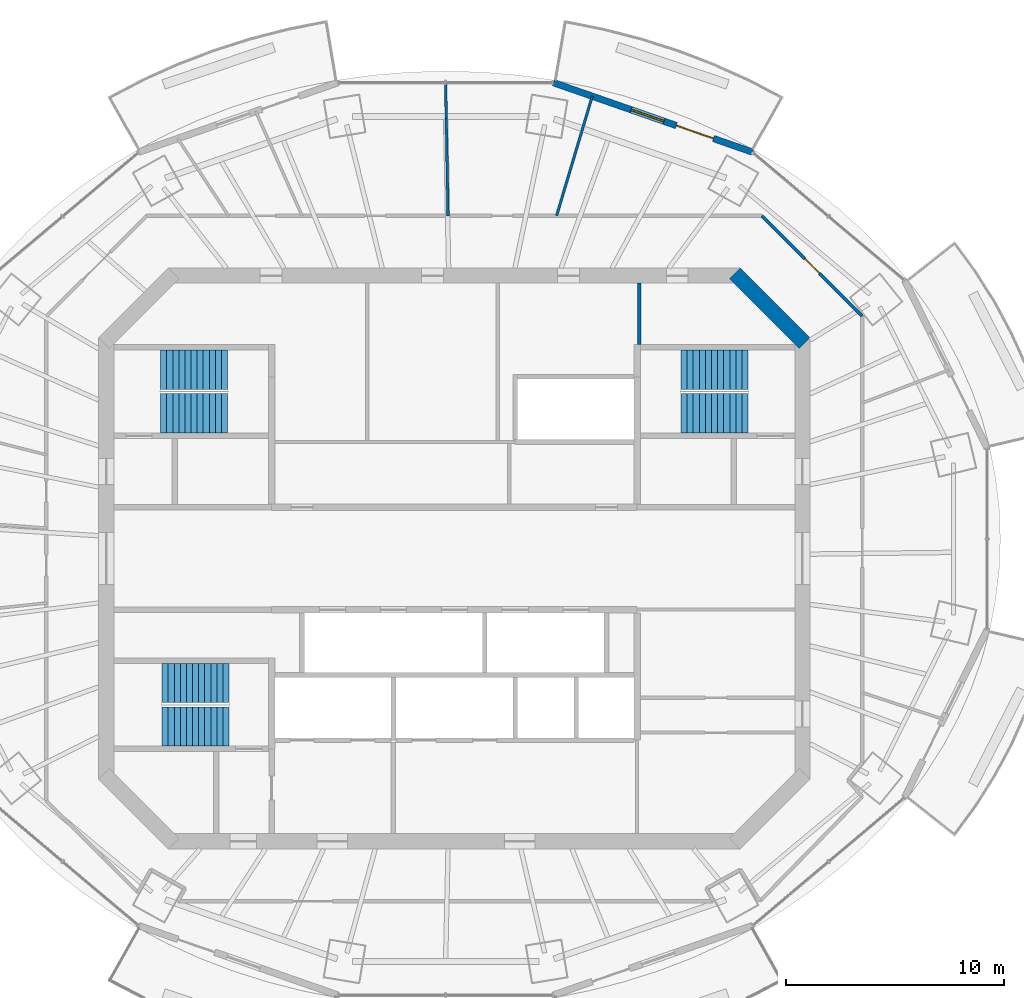
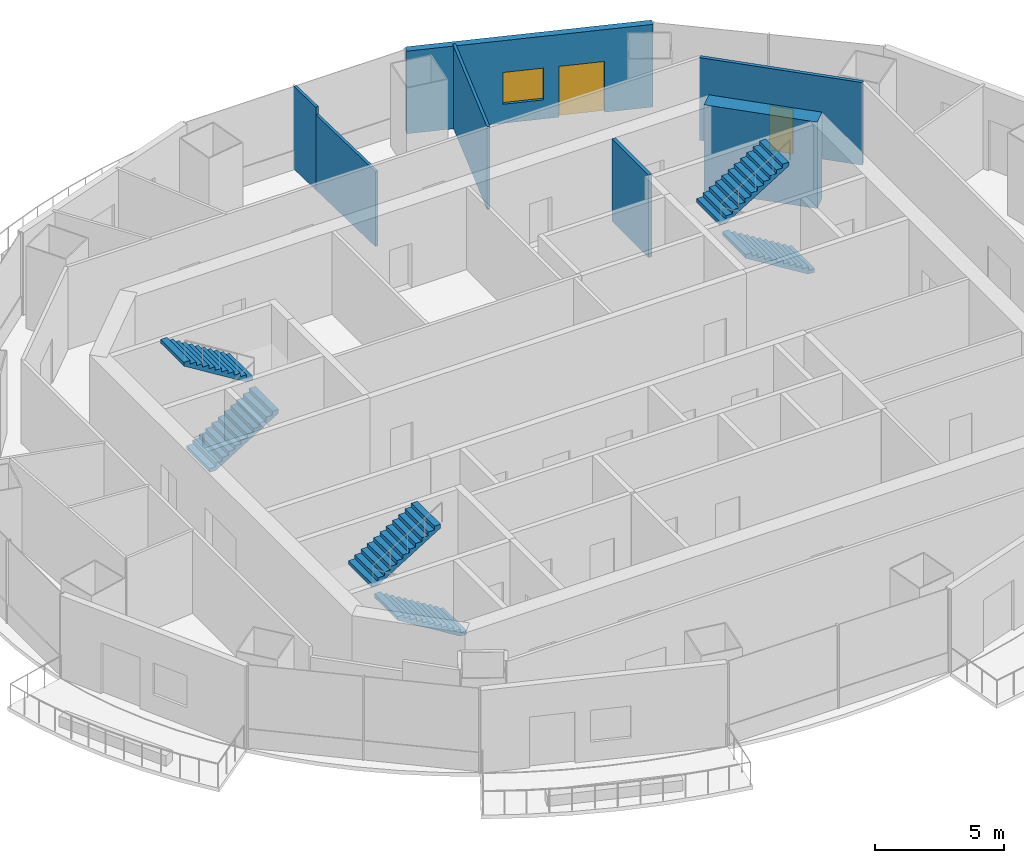
# One storey, part 11 of 14: 7 walls, 6 stair flights, 2 doors, 1 window, 3 openings, 3 elements without a shape of their own.
"""IFC4 building model written with IfcOpenShell, lengths in metres."""

from ifc_helpers import new_model, si_unit, direction, frame, frame_2d, origin, place, context, subcontext, project, spatial, polyline, rectangle, outline, extrude, material, layer, layer_set, type_object, element, fill, aggregate, save


model = new_model("IFC4")

# Units and contexts
model_context = context("Model", 3, precision=1e-05, world=origin(), true_north=direction((0.0, 1.0)))
body_context = subcontext(model_context, "Body", "Model", "MODEL_VIEW")
ifc_project = project(units=[si_unit("LENGTHUNIT", "METRE"), si_unit("AREAUNIT", "SQUARE_METRE"), si_unit("VOLUMEUNIT", "CUBIC_METRE"), si_unit("PLANEANGLEUNIT", "RADIAN"), si_unit("MASSUNIT", "GRAM", prefix="KILO")], contexts=[model_context])

# Site, building, storey
site_placement = place(None, origin())
site = spatial("IfcSite", under=ifc_project, at=site_placement, CompositionType="ELEMENT")
building_placement = place(site_placement, origin())
building = spatial("IfcBuilding", under=site, at=building_placement, Name="Marenthal Gate Tower", CompositionType="ELEMENT")
storey_placement = place(building_placement, frame((0.0, 0.0, 392.39990234375)))
storey = spatial("IfcBuildingStorey", under=building, at=storey_placement, Name="L89", CompositionType="ELEMENT", Elevation=392.39990234375)

# Walls
ifc_material_1 = material(Name="Concrete 60 MPa", Category="concrete")
ifc_layer_1 = layer(ifc_material_1, 0.699951171875)
ifc_layer_set_1 = layer_set([ifc_layer_1], Name="Core shear wall 700")
wall_type_1 = type_object("IfcWallType", Name="Core shear wall 700", PredefinedType="SHEAR", material=ifc_layer_set_1)
wall_1_placement = place(storey_placement, frame((16.1025390625, 9.8974609375, -0.179931640625), z_axis=(0.0, 0.0, 1.0), x_axis=(-0.707106781187, 0.707106781187, 0.0)))
element("IfcWall", 1, at=wall_1_placement, inside=storey, type_object=wall_type_1, Name="Core wall 03", PredefinedType="SHEAR", context=body_context, shape_type="SweptSolid", body=[
    extrude(rectangle(XDim=4.53271484375, YDim=0.699951171875, at=frame_2d((2.266357421875, 0.0))), origin(), (0.0, 0.0, 1.0), 4.080078125),
])
ifc_material_2 = material(Name="Gypsum board on steel studs", Category="steel")
ifc_layer_2 = layer(ifc_material_2, 0.1201171875)
ifc_layer_set_2 = layer_set([ifc_layer_2], Name="Partition 120")
wall_type_2 = type_object("IfcWallType", Name="Partition 120", PredefinedType="PARTITIONING", material=ifc_layer_set_2)
wall_2_placement = place(storey_placement, frame((-0.2880859375, 15.75, 0.0), z_axis=(0.0, 0.0, 1.0), x_axis=(-0.018263291926, 0.999833212175, 0.0)))
element("IfcWall", 2, at=wall_2_placement, inside=storey, type_object=wall_type_2, Name="Partition wall 65", PredefinedType="PARTITIONING", context=body_context, shape_type="SweptSolid", body=[
    extrude(rectangle(XDim=4.46484375, YDim=0.1201171875, at=frame_2d((2.232421875, 0.0))), origin(), (0.0, 0.0, 1.0), 3.547119140625),
])
wall_3_placement = place(storey_placement, frame((-0.36962890625, 20.214111328125, 0.0), z_axis=(0.0, 0.0, 1.0), x_axis=(-0.018288724099, 0.999832747299, 0.0)))
element("IfcWall", 3, at=wall_3_placement, inside=storey, type_object=wall_type_2, Name="Partition wall 79", PredefinedType="PARTITIONING", context=body_context, shape_type="SweptSolid", body=[
    extrude(rectangle(XDim=1.6552734375, YDim=0.1201171875, at=frame_2d((0.82763671875, 0.0))), origin(), (0.0, 0.0, 1.0), 3.900146484375),
])
wall_4_placement = place(storey_placement, frame((4.70068359375, 15.75, 0.0), z_axis=(0.0, 0.0, 1.0), x_axis=(0.285976596547, 0.958236602425, 0.0)))
element("IfcWall", 4, at=wall_4_placement, inside=storey, type_object=wall_type_2, Name="Partition wall 66", PredefinedType="PARTITIONING", context=body_context, shape_type="SweptSolid", body=[
    extrude(rectangle(XDim=5.734375, YDim=0.1201171875, at=frame_2d((2.8671875, 0.0))), origin(), (0.0, 0.0, 1.0), 3.900146484375),
])
ifc_material_3 = material(Name="Gypsum board on steel studs", Category="steel")
ifc_layer_3 = layer(ifc_material_3, 0.14990234375)
ifc_layer_set_3 = layer_set([ifc_layer_3], Name="Partition 150")
wall_type_3 = type_object("IfcWallType", Name="Partition 150", PredefinedType="PARTITIONING", material=ifc_layer_set_3)
wall_5_placement = place(storey_placement, frame((8.5, 9.824951171875, 0.0), z_axis=(0.0, 0.0, 1.0), x_axis=(0.0, 1.0, 0.0)))
element("IfcWall", 5, at=wall_5_placement, inside=storey, type_object=wall_type_3, Name="Partition wall 50", PredefinedType="PARTITIONING", context=body_context, shape_type="SweptSolid", body=[
    extrude(rectangle(XDim=2.824951171875, YDim=0.14990234375, at=frame_2d((1.41259765625, 0.0))), origin(), (0.0, 0.0, 1.0), 3.900146484375),
])

# Wall, opening, door
wall_6_placement = place(storey_placement, frame((14.13916015625, 15.75, 0.0), z_axis=(0.0, 0.0, 1.0), x_axis=(0.707106781187, -0.707106781187, 0.0)))
wall_6 = element("IfcWall", 6, at=wall_6_placement, inside=storey, type_object=wall_type_3, Name="Partition wall 71", PredefinedType="PARTITIONING", context=body_context, shape_type="SweptSolid", body=[
    extrude(rectangle(XDim=6.520751953125, YDim=0.14990234375, at=frame_2d((3.26025390625, 0.0))), origin(), (0.0, 0.0, 1.0), 3.900146484375),
])
opening_1_placement = place(wall_6_placement, frame((2.784912109375, 0.0, 0.0)))
opening_1 = element("IfcOpeningElement", 7, at=opening_1_placement, cuts=wall_6, Name="Opening D016.01", PredefinedType="OPENING", context=body_context, shape_type="SweptSolid", body=[
    extrude(rectangle(XDim=0.949951171875, YDim=2.10009765625, at=frame_2d((0.47509765625, 1.050048828125))), frame((0.0, 0.0849609375, 0.0), z_axis=(0.0, -1.0, 0.0), x_axis=(1.0, 0.0, 0.0)), (0.0, 0.0, 1.0), 0.169921875),
])
ifc_material_4 = material(Name="Timber door", Category="wood")
door_type_1 = type_object("IfcDoorType", Name="Door 950 x 2100", OperationType="NOTDEFINED", PredefinedType="DOOR", material=ifc_material_4)
door_1_placement = place(opening_1_placement, origin())
door_1 = element("IfcDoor", 8, at=door_1_placement, inside=storey, type_object=door_type_1, Name="Door D016.01", OperationType="SINGLE_SWING_RIGHT", OverallHeight=2.10009765625, OverallWidth=0.949951171875, PredefinedType="DOOR", context=body_context, shape_type="SweptSolid", body=[
    extrude(rectangle(XDim=0.949951171875, YDim=2.10009765625, at=frame_2d((0.47509765625, 1.050048828125))), frame((0.0, 0.02490234375, 0.0), z_axis=(0.0, -1.0, 0.0), x_axis=(1.0, 0.0, 0.0)), (0.0, 0.0, 1.0), 0.050048828125),
])
fill(opening_1, door_1)

# Wall, openings, door, window
ifc_material_5 = material(Name="Terracotta cladding on insulated concrete-block backing", Category="masonry")
ifc_layer_4 = layer(ifc_material_5, 0.300048828125)
ifc_layer_set_4 = layer_set([ifc_layer_4], Name="Terracotta facade wall 300")
wall_type_4 = type_object("IfcWallType", Name="Terracotta facade wall 300", PredefinedType="SOLIDWALL", material=ifc_layer_set_4)
wall_7_placement = place(storey_placement, frame((13.700439453125, 18.6767578125, 0.0), z_axis=(0.0, 0.0, 1.0), x_axis=(-0.944174121216, 0.329446852809, 0.0)))
wall_7 = element("IfcWall", 9, at=wall_7_placement, inside=storey, type_object=wall_type_4, Name="Terracotta facade wall L89 bay 3", PredefinedType="SOLIDWALL", context=body_context, shape_type="SweptSolid", body=[
    extrude(rectangle(XDim=9.690185546875, YDim=0.300048828125, at=frame_2d((4.84521484375, 0.0))), origin(), (0.0, 0.0, 1.0), 3.900146484375),
])
opening_2_placement = place(wall_7_placement, frame((1.89990234375, 0.0, 0.0)))
opening_2 = element("IfcOpeningElement", 10, at=opening_2_placement, cuts=wall_7, Name="Opening BD-L89-03", PredefinedType="OPENING", context=body_context, shape_type="SweptSolid", body=[
    extrude(rectangle(XDim=1.800048828125, YDim=2.39990234375, at=frame_2d((0.89990234375, 1.199951171875))), frame((0.0, 0.16015625, 0.0), z_axis=(0.0, -1.0, 0.0), x_axis=(1.0, 0.0, 0.0)), (0.0, 0.0, 1.0), 0.320068359375),
])
opening_3_placement = place(wall_7_placement, frame((4.300048828125, 0.0, 0.89990234375)))
opening_3 = element("IfcOpeningElement", 11, at=opening_3_placement, cuts=wall_7, Name="Opening WN3-L89-03", PredefinedType="OPENING", context=body_context, shape_type="SweptSolid", body=[
    extrude(rectangle(XDim=1.60009765625, YDim=1.5, at=frame_2d((0.800048828125, 0.75))), frame((0.0, 0.16015625, 0.0), z_axis=(0.0, -1.0, 0.0), x_axis=(1.0, 0.0, 0.0)), (0.0, 0.0, 1.0), 0.320068359375),
])
ifc_material_6 = material(Name="Aluminium and glass", Category="aluminium")
door_type_2 = type_object("IfcDoorType", Name="Balcony door 1800x2400", OperationType="DOUBLE_DOOR_SINGLE_SWING", PredefinedType="DOOR", material=ifc_material_6)
door_2_placement = place(opening_2_placement, origin())
door_2 = element("IfcDoor", 12, at=door_2_placement, inside=storey, type_object=door_type_2, Name="Balcony door L89 bay 3", OperationType="SINGLE_SWING_LEFT", OverallHeight=2.39990234375, OverallWidth=1.800048828125, PredefinedType="DOOR", context=body_context, shape_type="SweptSolid", body=[
    extrude(rectangle(XDim=1.800048828125, YDim=2.39990234375, at=frame_2d((0.89990234375, 1.199951171875))), frame((0.0, 0.02490234375, 0.0), z_axis=(0.0, -1.0, 0.0), x_axis=(1.0, 0.0, 0.0)), (0.0, 0.0, 1.0), 0.050048828125),
])
fill(opening_2, door_2)
ifc_material_7 = material(Name="Aluminium and glass", Category="aluminium")
window_type = type_object("IfcWindowType", Name="Window 1600x1500", PartitioningType="DOUBLE_PANEL_VERTICAL", PredefinedType="WINDOW", material=ifc_material_7)
window_placement = place(opening_3_placement, origin())
window = element("IfcWindow", 13, at=window_placement, inside=storey, type_object=window_type, Name="Window L89 bay 3", OverallHeight=1.5, OverallWidth=1.60009765625, PartitioningType="SINGLE_PANEL", PredefinedType="WINDOW", context=body_context, shape_type="SweptSolid", body=[
    extrude(rectangle(XDim=1.60009765625, YDim=1.5, at=frame_2d((0.800048828125, 0.75))), frame((0.0, 0.030029296875, 0.0), z_axis=(0.0, -1.0, 0.0), x_axis=(1.0, 0.0, 0.0)), (0.0, 0.0, 1.0), 0.06005859375),
])
fill(opening_3, window)

# Stair, stair flights
ifc_material_8 = material(Name="Concrete 40 MPa", Category="concrete")
stair_type = type_object("IfcStairType", Name="Exit stair 1800", PredefinedType="HALF_TURN_STAIR", material=ifc_material_8)
stair_1_placement = place(storey_placement, origin())
stair_1 = element("IfcStair", 14, at=stair_1_placement, inside=storey, type_object=stair_type, Name="Stair ST1", PredefinedType="HALF_TURN_STAIR")
ifc_material_9 = material(Name="Concrete 40 MPa", Category="concrete")
stair_flight_type = type_object("IfcStairFlightType", Name="Stair flight 1800", PredefinedType="STRAIGHT", material=ifc_material_9)
stair_flight_1_placement = place(storey_placement, frame((-13.5, 6.675048828125, 0.0), z_axis=(0.0, 0.0, 1.0), x_axis=(1.0, 0.0, 0.0)))
stair_flight_1 = element("IfcStairFlight", 15, at=stair_flight_1_placement, type_object=stair_flight_type, Name="ST1 flight 1", NumberOfRisers=12, NumberOfTreads=11, PredefinedType="STRAIGHT", RiserHeight=0.172916667, TreadLength=0.28, context=body_context, shape_type="SweptSolid", body=[
    extrude(outline(polyline([(0.0, 0.0), (0.0, 0.1728515625), (0.280029296875, 0.1728515625), (0.280029296875, 0.345947265625), (0.56005859375, 0.345947265625), (0.56005859375, 0.518798828125), (0.840087890625, 0.518798828125), (0.840087890625, 0.691650390625), (1.1201171875, 0.691650390625), (1.1201171875, 0.864501953125), (1.39990234375, 0.864501953125), (1.39990234375, 1.03759765625), (1.679931640625, 1.03759765625), (1.679931640625, 1.21044921875), (1.9599609375, 1.21044921875), (1.9599609375, 1.38330078125), (2.239990234375, 1.38330078125), (2.239990234375, 1.55615234375), (2.52001953125, 1.55615234375), (2.52001953125, 1.729248046875), (2.800048828125, 1.729248046875), (2.800048828125, 1.902099609375), (3.080078125, 1.902099609375), (3.080078125, 2.074951171875), (3.080078125, 1.725830078125), (0.285400390625, 0.0), (0.0, 0.0)])), frame((0.0, 0.89990234375, 0.0), z_axis=(0.0, -1.0, 0.0), x_axis=(1.0, 0.0, 0.0)), (0.0, 0.0, 1.0), 1.800048828125),
])
stair_flight_2_placement = place(storey_placement, frame((-10.419921875, 8.675048828125, 2.0751953125), z_axis=(0.0, 0.0, 1.0), x_axis=(-1.0, 0.0, 0.0)))
stair_flight_2 = element("IfcStairFlight", 16, at=stair_flight_2_placement, type_object=stair_flight_type, Name="ST1 flight 2", NumberOfRisers=12, NumberOfTreads=11, PredefinedType="STRAIGHT", RiserHeight=0.172916667, TreadLength=0.28, context=body_context, shape_type="SweptSolid", body=[
    extrude(outline(polyline([(0.0, 0.0), (0.0, 0.1728515625), (0.280029296875, 0.1728515625), (0.280029296875, 0.345947265625), (0.56005859375, 0.345947265625), (0.56005859375, 0.518798828125), (0.840087890625, 0.518798828125), (0.840087890625, 0.691650390625), (1.1201171875, 0.691650390625), (1.1201171875, 0.864501953125), (1.39990234375, 0.864501953125), (1.39990234375, 1.03759765625), (1.679931640625, 1.03759765625), (1.679931640625, 1.21044921875), (1.9599609375, 1.21044921875), (1.9599609375, 1.38330078125), (2.239990234375, 1.38330078125), (2.239990234375, 1.55615234375), (2.52001953125, 1.55615234375), (2.52001953125, 1.729248046875), (2.800048828125, 1.729248046875), (2.800048828125, 1.902099609375), (3.080078125, 1.902099609375), (3.080078125, 2.074951171875), (3.080078125, 1.725830078125), (0.285400390625, 0.0), (0.0, 0.0)])), frame((0.0, 0.89990234375, 0.0), z_axis=(0.0, -1.0, 0.0), x_axis=(1.0, 0.0, 0.0)), (0.0, 0.0, 1.0), 1.800048828125),
])
aggregate(stair_1, [stair_flight_1, stair_flight_2])

stair_2_placement = place(storey_placement, origin())
stair_2 = element("IfcStair", 17, at=stair_2_placement, inside=storey, type_object=stair_type, Name="Stair ST2", PredefinedType="HALF_TURN_STAIR")
stair_flight_3_placement = place(storey_placement, frame((-10.35009765625, -7.72509765625, 0.0), z_axis=(0.0, 0.0, 1.0), x_axis=(-1.0, 0.0, 0.0)))
stair_flight_3 = element("IfcStairFlight", 18, at=stair_flight_3_placement, type_object=stair_flight_type, Name="ST2 flight 1", NumberOfRisers=12, NumberOfTreads=11, PredefinedType="STRAIGHT", RiserHeight=0.172916667, TreadLength=0.28, context=body_context, shape_type="SweptSolid", body=[
    extrude(outline(polyline([(0.0, 0.0), (0.0, 0.1728515625), (0.280029296875, 0.1728515625), (0.280029296875, 0.345947265625), (0.56005859375, 0.345947265625), (0.56005859375, 0.518798828125), (0.840087890625, 0.518798828125), (0.840087890625, 0.691650390625), (1.1201171875, 0.691650390625), (1.1201171875, 0.864501953125), (1.39990234375, 0.864501953125), (1.39990234375, 1.03759765625), (1.679931640625, 1.03759765625), (1.679931640625, 1.21044921875), (1.9599609375, 1.21044921875), (1.9599609375, 1.38330078125), (2.239990234375, 1.38330078125), (2.239990234375, 1.55615234375), (2.52001953125, 1.55615234375), (2.52001953125, 1.729248046875), (2.800048828125, 1.729248046875), (2.800048828125, 1.902099609375), (3.080078125, 1.902099609375), (3.080078125, 2.074951171875), (3.080078125, 1.725830078125), (0.285400390625, 0.0), (0.0, 0.0)])), frame((0.0, 0.89990234375, 0.0), z_axis=(0.0, -1.0, 0.0), x_axis=(1.0, 0.0, 0.0)), (0.0, 0.0, 1.0), 1.800048828125),
])
stair_flight_4_placement = place(storey_placement, frame((-13.429931640625, -5.72509765625, 2.0751953125), z_axis=(0.0, 0.0, 1.0), x_axis=(1.0, 0.0, 0.0)))
stair_flight_4 = element("IfcStairFlight", 19, at=stair_flight_4_placement, type_object=stair_flight_type, Name="ST2 flight 2", NumberOfRisers=12, NumberOfTreads=11, PredefinedType="STRAIGHT", RiserHeight=0.172916667, TreadLength=0.28, context=body_context, shape_type="SweptSolid", body=[
    extrude(outline(polyline([(0.0, 0.0), (0.0, 0.1728515625), (0.280029296875, 0.1728515625), (0.280029296875, 0.345947265625), (0.56005859375, 0.345947265625), (0.56005859375, 0.518798828125), (0.840087890625, 0.518798828125), (0.840087890625, 0.691650390625), (1.1201171875, 0.691650390625), (1.1201171875, 0.864501953125), (1.39990234375, 0.864501953125), (1.39990234375, 1.03759765625), (1.679931640625, 1.03759765625), (1.679931640625, 1.21044921875), (1.9599609375, 1.21044921875), (1.9599609375, 1.38330078125), (2.239990234375, 1.38330078125), (2.239990234375, 1.55615234375), (2.52001953125, 1.55615234375), (2.52001953125, 1.729248046875), (2.800048828125, 1.729248046875), (2.800048828125, 1.902099609375), (3.080078125, 1.902099609375), (3.080078125, 2.074951171875), (3.080078125, 1.725830078125), (0.285400390625, 0.0), (0.0, 0.0)])), frame((0.0, 0.89990234375, 0.0), z_axis=(0.0, -1.0, 0.0), x_axis=(1.0, 0.0, 0.0)), (0.0, 0.0, 1.0), 1.800048828125),
])
aggregate(stair_2, [stair_flight_3, stair_flight_4])

stair_3_placement = place(storey_placement, origin())
stair_3 = element("IfcStair", 20, at=stair_3_placement, inside=storey, type_object=stair_type, Name="Stair ST3", PredefinedType="HALF_TURN_STAIR")
stair_flight_5_placement = place(storey_placement, frame((13.5, 6.675048828125, 0.0), z_axis=(0.0, 0.0, 1.0), x_axis=(-1.0, 0.0, 0.0)))
stair_flight_5 = element("IfcStairFlight", 21, at=stair_flight_5_placement, type_object=stair_flight_type, Name="ST3 flight 1", NumberOfRisers=12, NumberOfTreads=11, PredefinedType="STRAIGHT", RiserHeight=0.172916667, TreadLength=0.28, context=body_context, shape_type="SweptSolid", body=[
    extrude(outline(polyline([(0.0, 0.0), (0.0, 0.1728515625), (0.280029296875, 0.1728515625), (0.280029296875, 0.345947265625), (0.56005859375, 0.345947265625), (0.56005859375, 0.518798828125), (0.840087890625, 0.518798828125), (0.840087890625, 0.691650390625), (1.1201171875, 0.691650390625), (1.1201171875, 0.864501953125), (1.39990234375, 0.864501953125), (1.39990234375, 1.03759765625), (1.679931640625, 1.03759765625), (1.679931640625, 1.21044921875), (1.9599609375, 1.21044921875), (1.9599609375, 1.38330078125), (2.239990234375, 1.38330078125), (2.239990234375, 1.55615234375), (2.52001953125, 1.55615234375), (2.52001953125, 1.729248046875), (2.800048828125, 1.729248046875), (2.800048828125, 1.902099609375), (3.080078125, 1.902099609375), (3.080078125, 2.074951171875), (3.080078125, 1.725830078125), (0.285400390625, 0.0), (0.0, 0.0)])), frame((0.0, 0.89990234375, 0.0), z_axis=(0.0, -1.0, 0.0), x_axis=(1.0, 0.0, 0.0)), (0.0, 0.0, 1.0), 1.800048828125),
])
stair_flight_6_placement = place(storey_placement, frame((10.419921875, 8.675048828125, 2.0751953125), z_axis=(0.0, 0.0, 1.0), x_axis=(1.0, 0.0, 0.0)))
stair_flight_6 = element("IfcStairFlight", 22, at=stair_flight_6_placement, type_object=stair_flight_type, Name="ST3 flight 2", NumberOfRisers=12, NumberOfTreads=11, PredefinedType="STRAIGHT", RiserHeight=0.172916667, TreadLength=0.28, context=body_context, shape_type="SweptSolid", body=[
    extrude(outline(polyline([(0.0, 0.0), (0.0, 0.1728515625), (0.280029296875, 0.1728515625), (0.280029296875, 0.345947265625), (0.56005859375, 0.345947265625), (0.56005859375, 0.518798828125), (0.840087890625, 0.518798828125), (0.840087890625, 0.691650390625), (1.1201171875, 0.691650390625), (1.1201171875, 0.864501953125), (1.39990234375, 0.864501953125), (1.39990234375, 1.03759765625), (1.679931640625, 1.03759765625), (1.679931640625, 1.21044921875), (1.9599609375, 1.21044921875), (1.9599609375, 1.38330078125), (2.239990234375, 1.38330078125), (2.239990234375, 1.55615234375), (2.52001953125, 1.55615234375), (2.52001953125, 1.729248046875), (2.800048828125, 1.729248046875), (2.800048828125, 1.902099609375), (3.080078125, 1.902099609375), (3.080078125, 2.074951171875), (3.080078125, 1.725830078125), (0.285400390625, 0.0), (0.0, 0.0)])), frame((0.0, 0.89990234375, 0.0), z_axis=(0.0, -1.0, 0.0), x_axis=(1.0, 0.0, 0.0)), (0.0, 0.0, 1.0), 1.800048828125),
])
aggregate(stair_3, [stair_flight_5, stair_flight_6])

save(model, "model.ifc")
